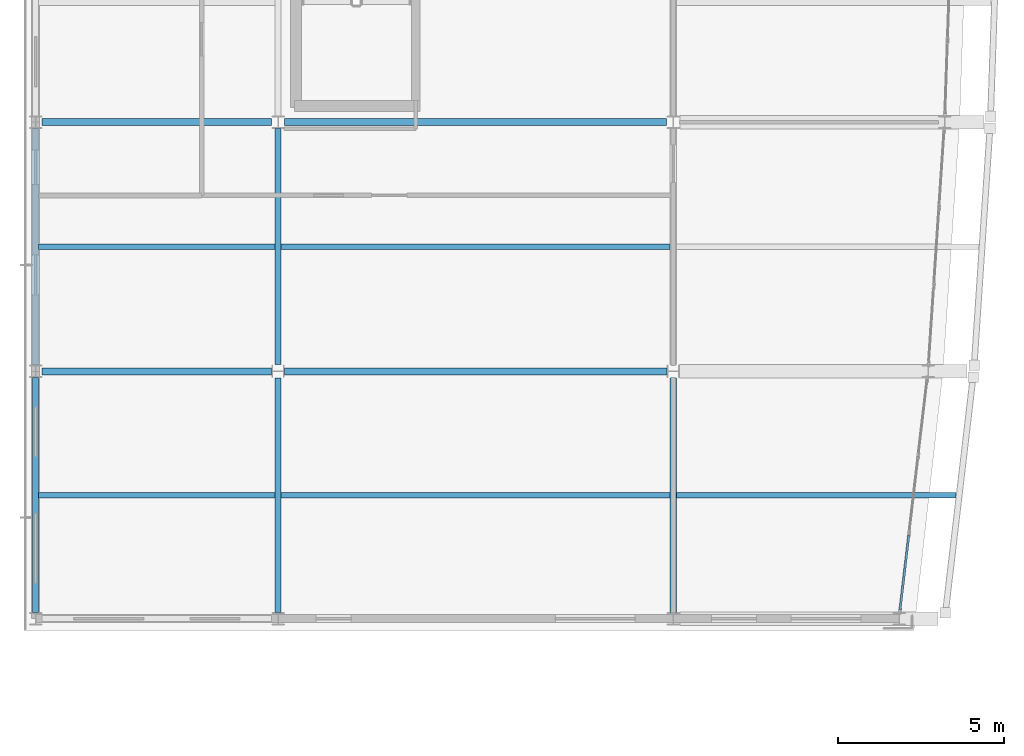
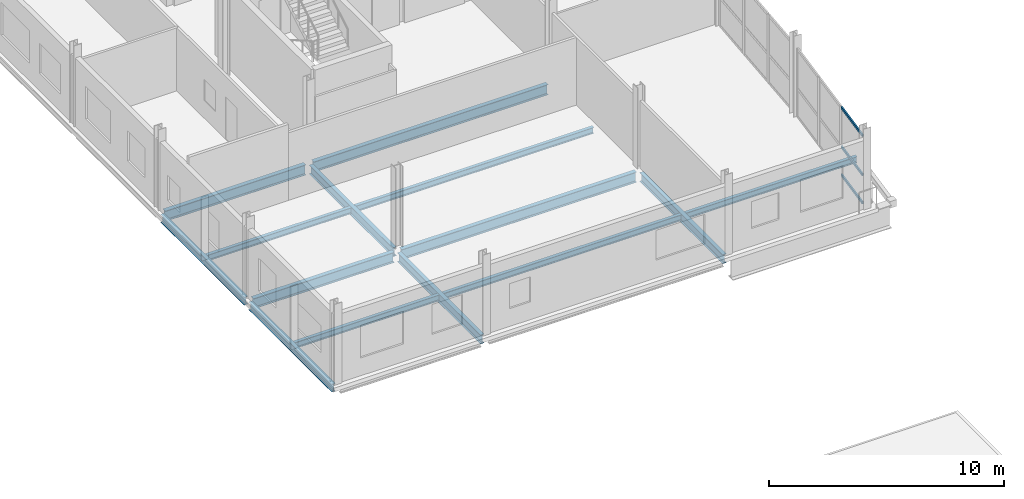
# One storey, part 3 of 23: 14 beams, 3 members, 1 element without a shape of its own.
"""IFC4 building model written with IfcOpenShell, lengths in metres."""

from ifc_helpers import new_model, si_unit, direction, frame, origin, origin_2d, place, context, subcontext, project, spatial, hollow_rectangle, i_section, extrude, material, layer, layer_set, material_profile, profile_set, type_object, element, aggregate, save


model = new_model("IFC4")

# Units and contexts
model_context = context("Model", 3, precision=1e-05, world=origin(), true_north=direction((0.0, 1.0)))
body_context = subcontext(model_context, "Body", "Model", "MODEL_VIEW")
ifc_project = project(units=[si_unit("LENGTHUNIT", "METRE"), si_unit("AREAUNIT", "SQUARE_METRE"), si_unit("VOLUMEUNIT", "CUBIC_METRE"), si_unit("PLANEANGLEUNIT", "RADIAN"), si_unit("MASSUNIT", "GRAM", prefix="KILO")], contexts=[model_context])

# Site, building, storey
site_placement = place(None, origin())
site = spatial("IfcSite", under=ifc_project, at=site_placement, CompositionType="ELEMENT")
building_placement = place(site_placement, origin())
building = spatial("IfcBuilding", under=site, at=building_placement, Name="Quillay Park Conservatory", CompositionType="ELEMENT")
storey_placement = place(building_placement, frame((0.0, 0.0, 22.5)))
storey = spatial("IfcBuildingStorey", under=building, at=storey_placement, Name="L05", CompositionType="ELEMENT", Elevation=22.5)

# Beams
ifc_material_1 = material(Name="Steel ASTM A992 Grade 50", Category="steel")
ifc_material_profile_1 = material_profile(ifc_material_1, i_section(OverallWidth=0.166015625, OverallDepth=0.31298828125, WebThickness=0.006591796875, FlangeThickness=0.01123046875, FilletRadius=0.010009765625, at=origin_2d()), Name="W310x45")
ifc_profile_set_1 = profile_set([ifc_material_profile_1], Name="Steel ASTM A992 Grade 50")
beam_type_1 = type_object("IfcBeamType", Name="COMPOSITE FLOOR JOIST W310 X45", PredefinedType="JOIST", material=ifc_profile_set_1)
beam_1_placement = place(storey_placement, frame((0.639892578125, 66.77490234375, -0.3564453125), z_axis=(1.0, 0.0, 0.0), x_axis=(0.0, 1.0, 0.0)))
element("IfcBeam", 1, at=beam_1_placement, inside=storey, type_object=beam_type_1, Name="L05 beam BM-J-0406", PredefinedType="JOIST", context=body_context, shape_type="SweptSolid", body=[
    extrude(i_section(OverallWidth=0.166015625, OverallDepth=0.31298828125, WebThickness=0.006591796875, FlangeThickness=0.01123046875, FilletRadius=0.010009765625, at=origin_2d()), origin(), (0.0, 0.0, 1.0), 7.114013671875),
])
beam_2_placement = place(storey_placement, frame((19.845947265625, 66.77490234375, -0.3564453125), z_axis=(1.0, 0.0, 0.0), x_axis=(0.0, 1.0, 0.0)))
element("IfcBeam", 2, at=beam_2_placement, inside=storey, type_object=beam_type_1, Name="L05 beam BM-J-0407", PredefinedType="JOIST", context=body_context, shape_type="SweptSolid", body=[
    extrude(i_section(OverallWidth=0.166015625, OverallDepth=0.31298828125, WebThickness=0.006591796875, FlangeThickness=0.01123046875, FilletRadius=0.010009765625, at=origin_2d()), origin(), (0.0, 0.0, 1.0), 8.41650390625),
])
beam_3_placement = place(storey_placement, frame((7.946044921875, 66.77490234375, -0.3564453125), z_axis=(1.0, 0.0, 0.0), x_axis=(0.0, 1.0, 0.0)))
element("IfcBeam", 3, at=beam_3_placement, inside=storey, type_object=beam_type_1, Name="L05 beam BM-J-0408", PredefinedType="JOIST", context=body_context, shape_type="SweptSolid", body=[
    extrude(i_section(OverallWidth=0.166015625, OverallDepth=0.31298828125, WebThickness=0.006591796875, FlangeThickness=0.01123046875, FilletRadius=0.010009765625, at=origin_2d()), origin(), (0.0, 0.0, 1.0), 11.7080078125),
])
beam_4_placement = place(storey_placement, frame((0.639892578125, 74.25, -0.3564453125), z_axis=(1.0, 0.0, 0.0), x_axis=(0.0, 1.0, 0.0)))
element("IfcBeam", 4, at=beam_4_placement, inside=storey, type_object=beam_type_1, Name="L05 beam BM-J-0413", PredefinedType="JOIST", context=body_context, shape_type="SweptSolid", body=[
    extrude(i_section(OverallWidth=0.166015625, OverallDepth=0.31298828125, WebThickness=0.006591796875, FlangeThickness=0.01123046875, FilletRadius=0.010009765625, at=origin_2d()), origin(), (0.0, 0.0, 1.0), 7.114013671875),
])
beam_5_placement = place(storey_placement, frame((7.946044921875, 74.25, -0.3564453125), z_axis=(1.0, 0.0, 0.0), x_axis=(0.0, 1.0, 0.0)))
element("IfcBeam", 5, at=beam_5_placement, inside=storey, type_object=beam_type_1, Name="L05 beam BM-J-0415", PredefinedType="JOIST", context=body_context, shape_type="SweptSolid", body=[
    extrude(i_section(OverallWidth=0.166015625, OverallDepth=0.31298828125, WebThickness=0.006591796875, FlangeThickness=0.01123046875, FilletRadius=0.010009765625, at=origin_2d()), origin(), (0.0, 0.0, 1.0), 11.7080078125),
])

# Curtain wall, members
ifc_material_2 = material(Name="Thermally Broken Anodised Aluminium 6063-T6", Category="aluminium")
ifc_layer = layer(ifc_material_2, 0.179931640625)
ifc_layer_set = layer_set([ifc_layer], Name="UNITISED CURTAIN WALL TOWER (Thermally Broken Anodised Aluminium 6063-T6)")
curtain_wall_type = type_object("IfcCurtainWallType", Name="UNITISED CURTAIN WALL TOWER", PredefinedType="USERDEFINED", material=ifc_layer_set)
curtain_wall_placement = place(storey_placement, origin())
curtain_wall = element("IfcCurtainWall", 6, at=curtain_wall_placement, inside=storey, type_object=curtain_wall_type, Name="L05 Unitised Curtain Wall 048", ObjectType="UNITISED CURTAIN WALL", PredefinedType="USERDEFINED")
ifc_material_3 = material(Name="Thermally Broken Anodised Aluminium 6063-T6", Category="aluminium")
ifc_material_profile_2 = material_profile(ifc_material_3, hollow_rectangle(XDim=0.070068359375, YDim=0.1298828125, WallThickness=0.003173828125, at=origin_2d()), Name="AL70x130x3.2")
ifc_profile_set_2 = profile_set([ifc_material_profile_2], Name="Thermally Broken Anodised Aluminium 6063-T6")
member_type = type_object("IfcMemberType", Name="CURTAIN WALL TRANSOM 70 X130", PredefinedType="USERDEFINED", material=ifc_profile_set_2)
member_1_placement = place(storey_placement, frame((26.845458984375, 65.564697265625, 0.034912109375), z_axis=(-0.116672168054, -0.993170481439, 0.0), x_axis=(0.993170481439, -0.116672168054, 0.0)))
member_1 = element("IfcMember", 7, at=member_1_placement, type_object=member_type, Name="CW-T1 transom 3.1", ObjectType="TRANSOM", PredefinedType="USERDEFINED", context=body_context, shape_type="SweptSolid", body=[
    extrude(hollow_rectangle(XDim=0.070068359375, YDim=0.1298828125, WallThickness=0.003173828125, at=origin_2d()), origin(), (0.0, 0.0, 1.0), 2.261962890625),
])
member_2_placement = place(storey_placement, frame((26.845458984375, 65.564697265625, 1.4990234375), z_axis=(-0.116672168054, -0.993170481439, 0.0), x_axis=(0.993170481439, -0.116672168054, 0.0)))
member_2 = element("IfcMember", 8, at=member_2_placement, type_object=member_type, Name="CW-T1 transom 3.2", ObjectType="TRANSOM", PredefinedType="USERDEFINED", context=body_context, shape_type="SweptSolid", body=[
    extrude(hollow_rectangle(XDim=0.070068359375, YDim=0.1298828125, WallThickness=0.003173828125, at=origin_2d()), origin(), (0.0, 0.0, 1.0), 2.261962890625),
])
member_3_placement = place(storey_placement, frame((26.845458984375, 65.564697265625, 3.533935546875), z_axis=(-0.116672168054, -0.993170481439, 0.0), x_axis=(0.993170481439, -0.116672168054, 0.0)))
member_3 = element("IfcMember", 9, at=member_3_placement, type_object=member_type, Name="CW-T1 transom 3.3", ObjectType="TRANSOM", PredefinedType="USERDEFINED", context=body_context, shape_type="SweptSolid", body=[
    extrude(hollow_rectangle(XDim=0.070068359375, YDim=0.1298828125, WallThickness=0.003173828125, at=origin_2d()), origin(), (0.0, 0.0, 1.0), 2.261962890625),
])
aggregate(curtain_wall, [member_1, member_2, member_3])

# Beams
ifc_material_4 = material(Name="Steel ASTM A992 Grade 50", Category="steel")
ifc_material_profile_3 = material_profile(ifc_material_4, i_section(OverallWidth=0.179931640625, OverallDepth=0.4130859375, WebThickness=0.009765625, FlangeThickness=0.01611328125, FilletRadius=0.011962890625, at=origin_2d()), Name="W410x74")
ifc_profile_set_3 = profile_set([ifc_material_profile_3], Name="Steel ASTM A992 Grade 50")
beam_type_2 = type_object("IfcBeamType", Name="PERIMETER SPANDREL BEAM W410 X74", PredefinedType="SPANDREL", material=ifc_profile_set_3)
beam_6_placement = place(storey_placement, frame((0.550048828125, 63.239990234375, -0.406494140625), z_axis=(0.0, 1.0, 0.0), x_axis=(-1.0, 0.0, 0.0)))
element("IfcBeam", 10, at=beam_6_placement, inside=storey, type_object=beam_type_2, Name="L05 beam BM-SPW-0402", PredefinedType="SPANDREL", context=body_context, shape_type="SweptSolid", body=[
    extrude(i_section(OverallWidth=0.179931640625, OverallDepth=0.4130859375, WebThickness=0.009765625, FlangeThickness=0.01611328125, FilletRadius=0.011962890625, at=origin_2d()), origin(), (0.0, 0.0, 1.0), 7.070068359375),
])
beam_7_placement = place(storey_placement, frame((0.550048828125, 70.68994140625, -0.406494140625), z_axis=(0.0, 1.0, 0.0), x_axis=(-1.0, 0.0, 0.0)))
element("IfcBeam", 11, at=beam_7_placement, inside=storey, type_object=beam_type_2, Name="L05 beam BM-SPW-0409", PredefinedType="SPANDREL", context=body_context, shape_type="SweptSolid", body=[
    extrude(i_section(OverallWidth=0.179931640625, OverallDepth=0.4130859375, WebThickness=0.009765625, FlangeThickness=0.01611328125, FilletRadius=0.011962890625, at=origin_2d()), origin(), (0.0, 0.0, 1.0), 7.1201171875),
])
ifc_material_5 = material(Name="Steel ASTM A992 Grade 50", Category="steel")
ifc_material_profile_4 = material_profile(ifc_material_5, i_section(OverallWidth=0.19189453125, OverallDepth=0.462890625, WebThickness=0.010498046875, FlangeThickness=0.017578125, FilletRadius=0.012939453125, at=origin_2d()), Name="W460x89")
ifc_profile_set_4 = profile_set([ifc_material_profile_4], Name="Steel ASTM A992 Grade 50")
beam_type_3 = type_object("IfcBeamType", Name="PRIMARY FLOOR GIRDER W460 X89", PredefinedType="BEAM", material=ifc_profile_set_4)
for number, where, z_axis, x_axis, name in (
    (12, (7.85009765625, 63.239990234375, -0.431396484375), (0.0, 1.0, 0.0), (-1.0, 0.0, 0.0), "L05 beam BM-GNS-0404"),
    (13, (19.75, 63.239990234375, -0.431396484375), (0.0, 1.0, 0.0), (-1.0, 0.0, 0.0), "L05 beam BM-GNS-0405"),
):
    element("IfcBeam", number, at=place(storey_placement, frame(where, z_axis=z_axis, x_axis=x_axis)), inside=storey, type_object=beam_type_3, Name=name, PredefinedType="BEAM", context=body_context, shape_type="SweptSolid", body=[
        extrude(i_section(OverallWidth=0.19189453125, OverallDepth=0.462890625, WebThickness=0.010498046875, FlangeThickness=0.017578125, FilletRadius=0.012939453125, at=origin_2d()), origin(), (0.0, 0.0, 1.0), 7.0625),
    ])
beam_8_placement = place(storey_placement, frame((7.85009765625, 70.697509765625, -0.431396484375), z_axis=(0.0, 1.0, 0.0), x_axis=(-1.0, 0.0, 0.0)))
element("IfcBeam", 14, at=beam_8_placement, inside=storey, type_object=beam_type_3, Name="L05 beam BM-GNS-0411", PredefinedType="BEAM", context=body_context, shape_type="SweptSolid", body=[
    extrude(i_section(OverallWidth=0.19189453125, OverallDepth=0.462890625, WebThickness=0.010498046875, FlangeThickness=0.017578125, FilletRadius=0.012939453125, at=origin_2d()), origin(), (0.0, 0.0, 1.0), 7.112548828125),
])
ifc_material_6 = material(Name="Steel ASTM A992 Grade 50", Category="steel")
ifc_material_profile_5 = material_profile(ifc_material_6, i_section(OverallWidth=0.2109375, OverallDepth=0.5390625, WebThickness=0.01171875, FlangeThickness=0.018798828125, FilletRadius=0.013916015625, at=origin_2d()), Name="W530x109")
ifc_profile_set_5 = profile_set([ifc_material_profile_5], Name="Steel ASTM A992 Grade 50")
beam_type_4 = type_object("IfcBeamType", Name="PRIMARY FLOOR GIRDER W530 X109", PredefinedType="BEAM", material=ifc_profile_set_5)
beam_9_placement = place(storey_placement, frame((0.74755859375, 70.5, -0.469482421875), z_axis=(1.0, 0.0, 0.0), x_axis=(0.0, 1.0, 0.0)))
element("IfcBeam", 15, at=beam_9_placement, inside=storey, type_object=beam_type_4, Name="L05 beam BM-G-0383", PredefinedType="BEAM", context=body_context, shape_type="SweptSolid", body=[
    extrude(i_section(OverallWidth=0.2109375, OverallDepth=0.5390625, WebThickness=0.01171875, FlangeThickness=0.018798828125, FilletRadius=0.013916015625, at=origin_2d()), origin(), (0.0, 0.0, 1.0), 6.912353515625),
])
beam_10_placement = place(storey_placement, frame((8.0400390625, 70.5, -0.469482421875), z_axis=(1.0, 0.0, 0.0), x_axis=(0.0, 1.0, 0.0)))
element("IfcBeam", 16, at=beam_10_placement, inside=storey, type_object=beam_type_4, Name="L05 beam BM-G-0384", PredefinedType="BEAM", context=body_context, shape_type="SweptSolid", body=[
    extrude(i_section(OverallWidth=0.2109375, OverallDepth=0.5390625, WebThickness=0.01171875, FlangeThickness=0.018798828125, FilletRadius=0.013916015625, at=origin_2d()), origin(), (0.0, 0.0, 1.0), 11.52001953125),
])
beam_11_placement = place(storey_placement, frame((0.74755859375, 78.0, -0.469482421875), z_axis=(1.0, 0.0, 0.0), x_axis=(0.0, 1.0, 0.0)))
element("IfcBeam", 17, at=beam_11_placement, inside=storey, type_object=beam_type_4, Name="L05 beam BM-G-0386", PredefinedType="BEAM", context=body_context, shape_type="SweptSolid", body=[
    extrude(i_section(OverallWidth=0.2109375, OverallDepth=0.5390625, WebThickness=0.01171875, FlangeThickness=0.018798828125, FilletRadius=0.013916015625, at=origin_2d()), origin(), (0.0, 0.0, 1.0), 6.905029296875),
])
beam_12_placement = place(storey_placement, frame((8.047607421875, 78.0, -0.469482421875), z_axis=(1.0, 0.0, 0.0), x_axis=(0.0, 1.0, 0.0)))
element("IfcBeam", 18, at=beam_12_placement, inside=storey, type_object=beam_type_4, Name="L05 beam BM-G-0387", PredefinedType="BEAM", context=body_context, shape_type="SweptSolid", body=[
    extrude(i_section(OverallWidth=0.2109375, OverallDepth=0.5390625, WebThickness=0.01171875, FlangeThickness=0.018798828125, FilletRadius=0.013916015625, at=origin_2d()), origin(), (0.0, 0.0, 1.0), 11.5048828125),
])

save(model, "model.ifc")
